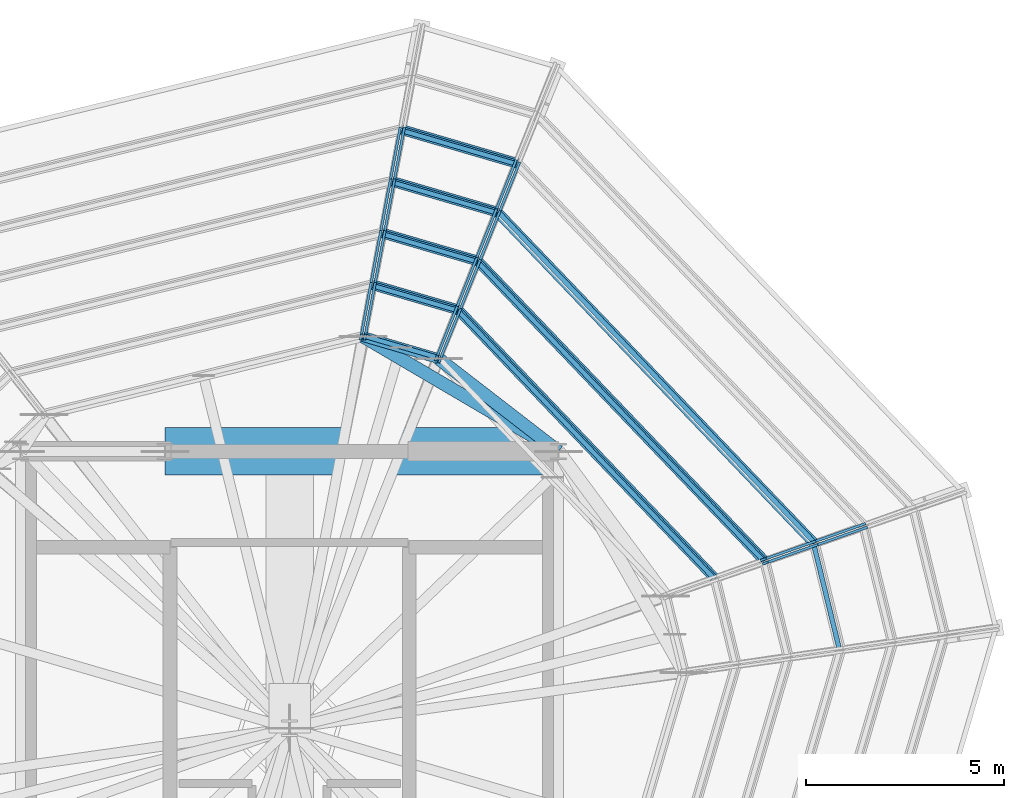
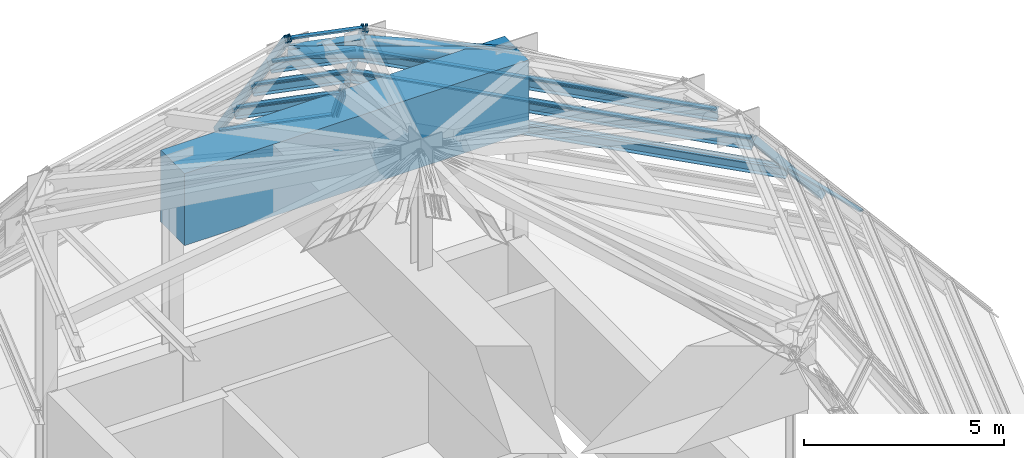
# One storey, part 8 of 13: 37 members, 9 beams, 15 elements without a shape of their own.
"""IFC4 building model written with IfcOpenShell, lengths in metres."""

from ifc_helpers import new_model, si_unit, direction, frame, origin, origin_2d, place, context, subcontext, project, spatial, rectangle, hollow_rectangle, hollow_circle, i_section, extrude, source, transform, mapped, material, layer, layer_set, material_profile, profile_set, type_object, element, aggregate, save


model = new_model("IFC4")

# Units and contexts
model_context = context("Model", 3, precision=1e-05, world=origin(), true_north=direction((0.0, 1.0)))
body_context = subcontext(model_context, "Body", "Model", "MODEL_VIEW")
ifc_project = project(units=[si_unit("LENGTHUNIT", "METRE"), si_unit("AREAUNIT", "SQUARE_METRE"), si_unit("VOLUMEUNIT", "CUBIC_METRE"), si_unit("PLANEANGLEUNIT", "RADIAN"), si_unit("MASSUNIT", "GRAM", prefix="KILO")], contexts=[model_context])

# Site, building, storey
site_placement = place(None, origin())
site = spatial("IfcSite", under=ifc_project, at=site_placement, CompositionType="ELEMENT")
building_placement = place(site_placement, origin())
building = spatial("IfcBuilding", under=site, at=building_placement, Name="Veraguas Prism Commons", CompositionType="ELEMENT")
storey_placement = place(building_placement, frame((0.0, 0.0, 268.89990234375)))
storey = spatial("IfcBuildingStorey", under=building, at=storey_placement, Name="RF", CompositionType="ELEMENT", Elevation=268.89990234375)

# Members
ifc_material_1 = material(Name="Steel ASTM A500 Grade C", Category="steel")
ifc_material_profile_1 = material_profile(ifc_material_1, hollow_circle(Radius=0.162109375, WallThickness=0.01611328125, at=origin_2d()), Name="CHS324X16")
ifc_profile_set_1 = profile_set([ifc_material_profile_1], Name="Steel ASTM A500 Grade C")
member_type_1 = type_object("IfcMemberType", Name="Crown Apex Collar Strut CHS 324x16", PredefinedType="STRUT", material=ifc_profile_set_1)
member_1_placement = place(storey_placement, frame((27.7646484375, 33.345703125, 9.067138671875), z_axis=(0.791264006395, -0.611474670108, 0.0), x_axis=(0.611474670108, 0.791264006395, 0.0)))
element("IfcMember", 1, at=member_1_placement, inside=storey, type_object=member_type_1, Name="Crown Apex Collar Strut 03", PredefinedType="STRUT", context=body_context, shape_type="SweptSolid", body=[
    extrude(hollow_circle(Radius=0.162109375, WallThickness=0.01611328125, at=origin_2d()), origin(), (0.0, 0.0, 1.0), 3.836181640625),
])
member_2_placement = place(storey_placement, frame((25.856689453125, 33.90283203125, 9.067138671875), z_axis=(0.86231714945, -0.506368575018, 0.0), x_axis=(0.506368575018, 0.86231714945, 0.0)))
element("IfcMember", 2, at=member_2_placement, inside=storey, type_object=member_type_1, Name="Crown Apex Collar Strut 04", PredefinedType="STRUT", context=body_context, shape_type="SweptSolid", body=[
    extrude(hollow_circle(Radius=0.162109375, WallThickness=0.01611328125, at=origin_2d()), origin(), (0.0, 0.0, 1.0), 5.732666015625),
])

# Beams
ifc_material_2 = material(Name="Steel ASTM A992 Grade 50", Category="steel")
ifc_material_profile_2 = material_profile(ifc_material_2, i_section(OverallWidth=0.25390625, OverallDepth=0.305908203125, WebThickness=0.0087890625, FlangeThickness=0.0146484375, at=origin_2d()), Name="W310X79")
ifc_profile_set_2 = profile_set([ifc_material_profile_2], Name="Steel ASTM A992 Grade 50")
beam_type_1 = type_object("IfcBeamType", Name="Crown Ring Spandrel W310x79", PredefinedType="SPANDREL", material=ifc_profile_set_2)
beam_1_placement = place(storey_placement, frame((37.2705078125, 28.668212890625, 4.59716796875), z_axis=(-0.691150459217, 0.72271089844, 0.0), x_axis=(-0.72271089844, -0.691150459217, 0.0)))
element("IfcBeam", 3, at=beam_1_placement, inside=storey, type_object=beam_type_1, Name="Crown Facet Ring Beam T3-V02", PredefinedType="SPANDREL", context=body_context, shape_type="SweptSolid", body=[
    extrude(i_section(OverallWidth=0.25390625, OverallDepth=0.305908203125, WebThickness=0.0087890625, FlangeThickness=0.0146484375, at=origin_2d()), origin(), (0.0, 0.0, 1.0), 11.595703125),
])
beam_2_placement = place(storey_placement, frame((36.01513671875, 28.2265625, 6.180419921875), z_axis=(-0.691140803875, 0.722720132015, 0.0), x_axis=(-0.722720132015, -0.691140803875, 0.0)))
element("IfcBeam", 4, at=beam_2_placement, inside=storey, type_object=beam_type_1, Name="Crown Facet Ring Beam T4-V02", PredefinedType="SPANDREL", context=body_context, shape_type="SweptSolid", body=[
    extrude(i_section(OverallWidth=0.25390625, OverallDepth=0.305908203125, WebThickness=0.0087890625, FlangeThickness=0.0146484375, at=origin_2d()), origin(), (0.0, 0.0, 1.0), 10.498779296875),
])
beam_3_placement = place(storey_placement, frame((34.759765625, 27.784912109375, 7.763916015625), z_axis=(-0.69112948824, 0.722730953042, 0.0), x_axis=(-0.722730953042, -0.69112948824, 0.0)))
element("IfcBeam", 5, at=beam_3_placement, inside=storey, type_object=beam_type_1, Name="Crown Facet Ring Beam T5-V02", PredefinedType="SPANDREL", context=body_context, shape_type="SweptSolid", body=[
    extrude(i_section(OverallWidth=0.25390625, OverallDepth=0.305908203125, WebThickness=0.0087890625, FlangeThickness=0.0146484375, at=origin_2d()), origin(), (0.0, 0.0, 1.0), 9.402099609375),
])
beam_4_placement = place(storey_placement, frame((29.75341796875, 38.282958984375, 3.013916015625), z_axis=(-0.95990001861, 0.280342565931, 0.0), x_axis=(-0.280342565931, -0.95990001861, 0.0)))
element("IfcBeam", 6, at=beam_4_placement, inside=storey, type_object=beam_type_1, Name="Crown Facet Ring Beam T2-V03", PredefinedType="SPANDREL", context=body_context, shape_type="SweptSolid", body=[
    extrude(i_section(OverallWidth=0.25390625, OverallDepth=0.305908203125, WebThickness=0.0087890625, FlangeThickness=0.0146484375, at=origin_2d()), origin(), (0.0, 0.0, 1.0), 3.03759765625),
])
beam_5_placement = place(storey_placement, frame((29.256103515625, 37.048583984375, 4.59716796875), z_axis=(-0.959883640209, 0.280398639903, 0.0), x_axis=(-0.280398639903, -0.959883640209, 0.0)))
element("IfcBeam", 7, at=beam_5_placement, inside=storey, type_object=beam_type_1, Name="Crown Facet Ring Beam T3-V03", PredefinedType="SPANDREL", context=body_context, shape_type="SweptSolid", body=[
    extrude(i_section(OverallWidth=0.25390625, OverallDepth=0.305908203125, WebThickness=0.0087890625, FlangeThickness=0.0146484375, at=origin_2d()), origin(), (0.0, 0.0, 1.0), 2.77490234375),
])
beam_6_placement = place(storey_placement, frame((28.759033203125, 35.814208984375, 6.180419921875), z_axis=(-0.95987911689, 0.280414124035, 0.0), x_axis=(-0.280414124035, -0.95987911689, 0.0)))
element("IfcBeam", 8, at=beam_6_placement, inside=storey, type_object=beam_type_1, Name="Crown Facet Ring Beam T4-V03", PredefinedType="SPANDREL", context=body_context, shape_type="SweptSolid", body=[
    extrude(i_section(OverallWidth=0.25390625, OverallDepth=0.305908203125, WebThickness=0.0087890625, FlangeThickness=0.0146484375, at=origin_2d()), origin(), (0.0, 0.0, 1.0), 2.5126953125),
])
beam_7_placement = place(storey_placement, frame((28.26171875, 34.580078125, 7.763916015625), z_axis=(-0.959914880708, 0.280291672719, 0.0), x_axis=(-0.280291672719, -0.959914880708, 0.0)))
element("IfcBeam", 9, at=beam_7_placement, inside=storey, type_object=beam_type_1, Name="Crown Facet Ring Beam T5-V03", PredefinedType="SPANDREL", context=body_context, shape_type="SweptSolid", body=[
    extrude(i_section(OverallWidth=0.25390625, OverallDepth=0.305908203125, WebThickness=0.0087890625, FlangeThickness=0.0146484375, at=origin_2d()), origin(), (0.0, 0.0, 1.0), 2.249755859375),
])
beam_8_placement = place(storey_placement, frame((27.7646484375, 33.345703125, 9.067138671875), z_axis=(-0.959913285449, 0.280297135943, 0.0), x_axis=(-0.280297135943, -0.959913285449, 0.0)))
element("IfcBeam", 10, at=beam_8_placement, inside=storey, type_object=beam_type_1, Name="Crown Facet Ring Beam T6-V03", PredefinedType="SPANDREL", context=body_context, shape_type="SweptSolid", body=[
    extrude(i_section(OverallWidth=0.25390625, OverallDepth=0.305908203125, WebThickness=0.0087890625, FlangeThickness=0.0146484375, at=origin_2d()), origin(), (0.0, 0.0, 1.0), 1.987548828125),
])
ifc_material_3 = material(Name="Concrete C50/60", Category="concrete")
ifc_material_profile_3 = material_profile(ifc_material_3, rectangle(XDim=1.199951171875, YDim=2.199951171875, at=origin_2d()), Name="RC1200X2200")
ifc_profile_set_3 = profile_set([ifc_material_profile_3], Name="Concrete C50/60")
beam_type_2 = type_object("IfcBeamType", Name="Podium Transfer Girder RC 1200x2200", PredefinedType="BEAM", material=ifc_profile_set_3)
beam_9_placement = place(storey_placement, frame((20.85009765625, 31.0, 8.1201171875), z_axis=(1.0, 0.0, 0.0), x_axis=(0.0, 1.0, 0.0)))
element("IfcBeam", 11, at=beam_9_placement, inside=storey, type_object=beam_type_2, Name="Crown Apex Transfer Beam North", PredefinedType="BEAM", context=body_context, shape_type="SweptSolid", body=[
    extrude(rectangle(XDim=1.199951171875, YDim=2.199951171875, at=origin_2d()), origin(), (0.0, 0.0, 1.0), 9.949951171875),
])

# Curtain wall, member
ifc_material_4 = material(Name="Anodised aluminium EN AW-6063 T6", Category="aluminium")
ifc_layer = layer(ifc_material_4, 0.199951171875, Name="Faceted Glass Point Crown Curtain Wall", Category="aluminium")
ifc_layer_set = layer_set([ifc_layer], Name="Anodised aluminium EN AW-6063 T6")
curtain_wall_type = type_object("IfcCurtainWallType", Name="Faceted Glass Point Crown Curtain Wall", PredefinedType="NOTDEFINED", material=ifc_layer_set)
curtain_wall_1_placement = place(storey_placement, origin())
curtain_wall_1 = element("IfcCurtainWall", 12, at=curtain_wall_1_placement, inside=storey, type_object=curtain_wall_type, Name="Crown Glass-Point Facet T3-F01", PredefinedType="NOTDEFINED")
ifc_material_profile_4 = material_profile(ifc_material_4, hollow_rectangle(XDim=0.06494140625, YDim=0.199951171875, WallThickness=0.00390625, at=origin_2d()), Name="AL65X200X4")
ifc_profile_set_4 = profile_set([ifc_material_profile_4], Name="Anodised aluminium EN AW-6063 T6")
member_type_2 = type_object("IfcMemberType", Name="Curtain Wall Mullion Heavy AL 65x200x4", PredefinedType="MULLION", material=ifc_profile_set_4)
shared_shape_1 = source(origin(), body_context, "Body", "SweptSolid", [
    extrude(hollow_rectangle(XDim=0.06494140625, YDim=0.199951171875, WallThickness=0.00390625, at=origin_2d()), origin(), (0.0, 0.0, 1.0), 2.068359375),
])
member_3_placement = place(storey_placement, frame((38.5380859375, 29.058837890625, 3.166748046875), z_axis=(-0.606969745042, -0.213537197352, 0.765499571489), x_axis=(0.331869934634, -0.943325154168, 0.0)))
member_3 = element("IfcMember", 13, at=member_3_placement, type_object=member_type_2, Name="CW-CRN Mullion 2", PredefinedType="MULLION", context=body_context, shape_type="MappedRepresentation", body=[
    mapped(shared_shape_1, transform((0.0, 0.0, 0.0), scale=1.0)),
])
aggregate(curtain_wall_1, [member_3])

curtain_wall_2_placement = place(storey_placement, origin())
curtain_wall_2 = element("IfcCurtainWall", 14, at=curtain_wall_2_placement, inside=storey, type_object=curtain_wall_type, Name="Crown Glass-Point Facet T3-F02", PredefinedType="NOTDEFINED")
member_4_placement = place(storey_placement, frame((38.489501953125, 29.147705078125, 3.166748046875), z_axis=(-0.606969745042, -0.213537197352, 0.765499571489), x_axis=(0.331869934634, -0.943325154168, 0.0)))
member_4 = element("IfcMember", 15, at=member_4_placement, type_object=member_type_2, Name="CW-CRN Mullion 1", PredefinedType="MULLION", context=body_context, shape_type="MappedRepresentation", body=[
    mapped(shared_shape_1, transform((0.0, 0.0, 0.0), scale=1.0)),
])

curtain_wall_3_placement = place(storey_placement, origin())
curtain_wall_3 = element("IfcCurtainWall", 16, at=curtain_wall_3_placement, inside=storey, type_object=curtain_wall_type, Name="Crown Glass-Point Facet T3-F03", PredefinedType="NOTDEFINED")
member_5_placement = place(storey_placement, frame((26.88818359375, 39.119873046875, 3.166748046875), z_axis=(-0.118627194476, -0.632442296518, 0.765470006144), x_axis=(0.982859724762, -0.184354987567, 0.0)))
member_5 = element("IfcMember", 17, at=member_5_placement, type_object=member_type_2, Name="CW-CRN Mullion 2", PredefinedType="MULLION", context=body_context, shape_type="MappedRepresentation", body=[
    mapped(shared_shape_1, transform((0.0, 0.0, 0.0), scale=1.0)),
])

curtain_wall_4_placement = place(storey_placement, origin())
curtain_wall_4 = element("IfcCurtainWall", 18, at=curtain_wall_4_placement, inside=storey, type_object=curtain_wall_type, Name="Crown Glass-Point Facet T4-F01", PredefinedType="NOTDEFINED")
member_6_placement = place(storey_placement, frame((37.28271484375, 28.6171875, 4.75), z_axis=(-0.606840339255, -0.213533198544, 0.765603275707), x_axis=(0.331927376585, -0.943304943628, 0.0)))
member_6 = element("IfcMember", 19, at=member_6_placement, type_object=member_type_2, Name="CW-CRN Mullion 2", PredefinedType="MULLION", context=body_context, shape_type="MappedRepresentation", body=[
    mapped(shared_shape_1, transform((0.0, 0.0, 0.0), scale=1.0)),
])

# Curtain wall, members
curtain_wall_5_placement = place(storey_placement, origin())
curtain_wall_5 = element("IfcCurtainWall", 20, at=curtain_wall_5_placement, inside=storey, type_object=curtain_wall_type, Name="Crown Glass-Point Facet T4-F02", PredefinedType="NOTDEFINED")
member_7_placement = place(storey_placement, frame((37.234130859375, 28.7060546875, 4.75), z_axis=(-0.606930193638, -0.213405248949, 0.765567723831), x_axis=(0.331706670109, -0.943382576162, 0.0)))
member_7 = element("IfcMember", 21, at=member_7_placement, type_object=member_type_2, Name="CW-CRN Mullion 1", PredefinedType="MULLION", context=body_context, shape_type="MappedRepresentation", body=[
    mapped(shared_shape_1, transform((0.0, 0.0, 0.0), scale=1.0)),
])
member_8_placement = place(storey_placement, frame((29.29248046875, 37.0107421875, 4.75), z_axis=(-0.240429183387, -0.596764826316, 0.765549181861), x_axis=(0.927550217009, -0.37369853482, 0.0)))
member_8 = element("IfcMember", 22, at=member_8_placement, type_object=member_type_2, Name="CW-CRN Mullion 2", PredefinedType="MULLION", context=body_context, shape_type="MappedRepresentation", body=[
    mapped(shared_shape_1, transform((0.0, 0.0, 0.0), scale=1.0)),
])

curtain_wall_6_placement = place(storey_placement, origin())
curtain_wall_6 = element("IfcCurtainWall", 23, at=curtain_wall_6_placement, inside=storey, type_object=curtain_wall_type, Name="Crown Glass-Point Facet T4-F03", PredefinedType="NOTDEFINED")
member_9_placement = place(storey_placement, frame((29.205810546875, 37.0634765625, 4.75), z_axis=(-0.240429183387, -0.596764826316, 0.765549181861), x_axis=(0.927550217009, -0.37369853482, 0.0)))
member_9 = element("IfcMember", 24, at=member_9_placement, type_object=member_type_2, Name="CW-CRN Mullion 1", PredefinedType="MULLION", context=body_context, shape_type="MappedRepresentation", body=[
    mapped(shared_shape_1, transform((0.0, 0.0, 0.0), scale=1.0)),
])
member_10_placement = place(storey_placement, frame((26.642822265625, 37.811767578125, 4.75), z_axis=(-0.118508953549, -0.632323171476, 0.765586725815), x_axis=(0.982886723569, -0.184210989446, 0.0)))
member_10 = element("IfcMember", 25, at=member_10_placement, type_object=member_type_2, Name="CW-CRN Mullion 2", PredefinedType="MULLION", context=body_context, shape_type="MappedRepresentation", body=[
    mapped(shared_shape_1, transform((0.0, 0.0, 0.0), scale=1.0)),
])

# Curtain wall, member
curtain_wall_7_placement = place(storey_placement, origin())
curtain_wall_7 = element("IfcCurtainWall", 26, at=curtain_wall_7_placement, inside=storey, type_object=curtain_wall_type, Name="Crown Glass-Point Facet T4-F04", PredefinedType="NOTDEFINED")
member_11_placement = place(storey_placement, frame((26.54150390625, 37.814208984375, 4.75), z_axis=(-0.11862533016, -0.632314322055, 0.765576011359), x_axis=(0.982853488619, -0.184388231484, 0.0)))
member_11 = element("IfcMember", 27, at=member_11_placement, type_object=member_type_2, Name="CW-CRN Mullion 1", PredefinedType="MULLION", context=body_context, shape_type="MappedRepresentation", body=[
    mapped(shared_shape_1, transform((0.0, 0.0, 0.0), scale=1.0)),
])
aggregate(curtain_wall_7, [member_11])

curtain_wall_8_placement = place(storey_placement, origin())
curtain_wall_8 = element("IfcCurtainWall", 28, at=curtain_wall_8_placement, inside=storey, type_object=curtain_wall_type, Name="Crown Glass-Point Facet T5-F04", PredefinedType="NOTDEFINED")
member_12_placement = place(storey_placement, frame((26.296142578125, 36.50634765625, 6.33349609375), z_axis=(-0.118510816088, -0.632451148008, 0.765480719453), x_axis=(0.982892947939, -0.184177775239, 0.0)))
member_12 = element("IfcMember", 29, at=member_12_placement, type_object=member_type_2, Name="CW-CRN Mullion 1", PredefinedType="MULLION", context=body_context, shape_type="MappedRepresentation", body=[
    mapped(shared_shape_1, transform((0.0, 0.0, 0.0), scale=1.0)),
])
aggregate(curtain_wall_8, [member_12])

curtain_wall_9_placement = place(storey_placement, origin())
curtain_wall_9 = element("IfcCurtainWall", 30, at=curtain_wall_9_placement, inside=storey, type_object=curtain_wall_type, Name="Crown Glass-Point Facet T6-F02", PredefinedType="NOTDEFINED")
member_13_placement = place(storey_placement, frame((28.298095703125, 34.5419921875, 7.916748046875), z_axis=(-0.240450909489, -0.596818752272, 0.765500318133), x_axis=(0.927550217009, -0.37369853482, 0.0)))
member_13 = element("IfcMember", 31, at=member_13_placement, type_object=member_type_2, Name="CW-CRN Mullion 2", PredefinedType="MULLION", context=body_context, shape_type="MappedRepresentation", body=[
    mapped(shared_shape_1, transform((0.0, 0.0, 0.0), scale=1.0)),
])

curtain_wall_10_placement = place(storey_placement, origin())
curtain_wall_10 = element("IfcCurtainWall", 32, at=curtain_wall_10_placement, inside=storey, type_object=curtain_wall_type, Name="Crown Glass-Point Facet T6-F03", PredefinedType="NOTDEFINED")
member_14_placement = place(storey_placement, frame((28.21142578125, 34.5947265625, 7.916748046875), z_axis=(-0.240450909489, -0.596818752272, 0.765500318133), x_axis=(0.927550217009, -0.37369853482, 0.0)))
member_14 = element("IfcMember", 33, at=member_14_placement, type_object=member_type_2, Name="CW-CRN Mullion 1", PredefinedType="MULLION", context=body_context, shape_type="MappedRepresentation", body=[
    mapped(shared_shape_1, transform((0.0, 0.0, 0.0), scale=1.0)),
])

# Member
shared_shape_2 = source(origin(), body_context, "Body", "SweptSolid", [
    extrude(hollow_rectangle(XDim=0.06494140625, YDim=0.199951171875, WallThickness=0.00390625, at=origin_2d()), origin(), (0.0, 0.0, 1.0), 2.068115234375),
])
member_15_placement = place(storey_placement, frame((29.78955078125, 38.2451171875, 3.166748046875), z_axis=(-0.240339687845, -0.596835688479, 0.765522041097), x_axis=(0.927613797991, -0.373540682894, 0.0)))
member_15 = element("IfcMember", 34, at=member_15_placement, type_object=member_type_2, Name="CW-CRN Mullion 2", PredefinedType="MULLION", context=body_context, shape_type="MappedRepresentation", body=[
    mapped(shared_shape_2, transform((0.0, 0.0, 0.0), scale=1.0)),
])

member_16_placement = place(storey_placement, frame((29.703125, 38.297607421875, 3.166748046875), z_axis=(-0.240467849248, -0.596742748134, 0.765554247606), x_axis=(0.927524590821, -0.373762134817, 0.0)))
member_16 = element("IfcMember", 35, at=member_16_placement, type_object=member_type_2, Name="CW-CRN Mullion 1", PredefinedType="MULLION", context=body_context, shape_type="MappedRepresentation", body=[
    mapped(shared_shape_2, transform((0.0, 0.0, 0.0), scale=1.0)),
])

# Curtain wall, member
curtain_wall_11_placement = place(storey_placement, origin())
curtain_wall_11 = element("IfcCurtainWall", 36, at=curtain_wall_11_placement, inside=storey, type_object=curtain_wall_type, Name="Crown Glass-Point Facet T3-F04", PredefinedType="NOTDEFINED")
member_17_placement = place(storey_placement, frame((26.78662109375, 39.1220703125, 3.166748046875), z_axis=(-0.118519663522, -0.632380316225, 0.765537866477), x_axis=(0.982886723569, -0.184210989446, 0.0)))
member_17 = element("IfcMember", 37, at=member_17_placement, type_object=member_type_2, Name="CW-CRN Mullion 1", PredefinedType="MULLION", context=body_context, shape_type="MappedRepresentation", body=[
    mapped(shared_shape_2, transform((0.0, 0.0, 0.0), scale=1.0)),
])
aggregate(curtain_wall_11, [member_17])

curtain_wall_12_placement = place(storey_placement, origin())
curtain_wall_12 = element("IfcCurtainWall", 38, at=curtain_wall_12_placement, inside=storey, type_object=curtain_wall_type, Name="Crown Glass-Point Facet T5-F02", PredefinedType="NOTDEFINED")
member_18_placement = place(storey_placement, frame((28.795166015625, 35.7763671875, 6.33349609375), z_axis=(-0.240339687845, -0.596835688479, 0.765522041097), x_axis=(0.927613797991, -0.373540682894, 0.0)))
member_18 = element("IfcMember", 39, at=member_18_placement, type_object=member_type_2, Name="CW-CRN Mullion 2", PredefinedType="MULLION", context=body_context, shape_type="MappedRepresentation", body=[
    mapped(shared_shape_2, transform((0.0, 0.0, 0.0), scale=1.0)),
])

# Curtain wall, members
curtain_wall_13_placement = place(storey_placement, origin())
curtain_wall_13 = element("IfcCurtainWall", 40, at=curtain_wall_13_placement, inside=storey, type_object=curtain_wall_type, Name="Crown Glass-Point Facet T5-F03", PredefinedType="NOTDEFINED")
member_19_placement = place(storey_placement, frame((28.70849609375, 35.8291015625, 6.33349609375), z_axis=(-0.240339687845, -0.596835688479, 0.765522041097), x_axis=(0.927613797991, -0.373540682894, 0.0)))
member_19 = element("IfcMember", 41, at=member_19_placement, type_object=member_type_2, Name="CW-CRN Mullion 1", PredefinedType="MULLION", context=body_context, shape_type="MappedRepresentation", body=[
    mapped(shared_shape_2, transform((0.0, 0.0, 0.0), scale=1.0)),
])
member_20_placement = place(storey_placement, frame((26.397705078125, 36.50390625, 6.33349609375), z_axis=(-0.11863605035, -0.632371464405, 0.765527150768), x_axis=(0.982853488619, -0.184388231484, 0.0)))
member_20 = element("IfcMember", 42, at=member_20_placement, type_object=member_type_2, Name="CW-CRN Mullion 2", PredefinedType="MULLION", context=body_context, shape_type="MappedRepresentation", body=[
    mapped(shared_shape_2, transform((0.0, 0.0, 0.0), scale=1.0)),
])

# Member
member_21_placement = place(storey_placement, frame((26.15234375, 35.196044921875, 7.916748046875), z_axis=(-0.118519663522, -0.632380316225, 0.765537866477), x_axis=(0.982886723569, -0.184210989446, 0.0)))
member_21 = element("IfcMember", 43, at=member_21_placement, type_object=member_type_2, Name="CW-CRN Mullion 2", PredefinedType="MULLION", context=body_context, shape_type="MappedRepresentation", body=[
    mapped(shared_shape_2, transform((0.0, 0.0, 0.0), scale=1.0)),
])

# Curtain wall, member
curtain_wall_14_placement = place(storey_placement, origin())
curtain_wall_14 = element("IfcCurtainWall", 44, at=curtain_wall_14_placement, inside=storey, type_object=curtain_wall_type, Name="Crown Glass-Point Facet T6-F04", PredefinedType="NOTDEFINED")
member_22_placement = place(storey_placement, frame((26.051025390625, 35.1982421875, 7.916748046875), z_axis=(-0.118519663522, -0.632380316225, 0.765537866477), x_axis=(0.982886723569, -0.184210989446, 0.0)))
member_22 = element("IfcMember", 45, at=member_22_placement, type_object=member_type_2, Name="CW-CRN Mullion 1", PredefinedType="MULLION", context=body_context, shape_type="MappedRepresentation", body=[
    mapped(shared_shape_2, transform((0.0, 0.0, 0.0), scale=1.0)),
])
aggregate(curtain_wall_14, [member_22])

curtain_wall_15_placement = place(storey_placement, origin())
curtain_wall_15 = element("IfcCurtainWall", 46, at=curtain_wall_15_placement, inside=storey, type_object=curtain_wall_type, Name="Crown Glass-Point Facet T2-F03", PredefinedType="NOTDEFINED")
ifc_material_profile_5 = material_profile(ifc_material_4, hollow_rectangle(XDim=0.050048828125, YDim=0.1201171875, WallThickness=0.0029296875, at=origin_2d()), Name="AL50X120X3")
ifc_profile_set_5 = profile_set([ifc_material_profile_5], Name="Anodised aluminium EN AW-6063 T6")
member_type_3 = type_object("IfcMemberType", Name="Curtain Wall Transom Crown AL 50x120x3", PredefinedType="USERDEFINED", material=ifc_profile_set_5)
shared_shape_3 = source(origin(), body_context, "Body", "SweptSolid", [
    extrude(hollow_rectangle(XDim=0.050048828125, YDim=0.1201171875, WallThickness=0.0029296875, at=origin_2d()), origin(), (0.0, 0.0, 1.0), 2.9365234375),
])
member_23_placement = place(storey_placement, frame((29.7109375, 38.317138671875, 3.141845703125), z_axis=(-0.959901239962, 0.280338383956, 0.0), x_axis=(0.0, 0.0, 1.0)))
member_23 = element("IfcMember", 47, at=member_23_placement, type_object=member_type_3, Name="CW-CRN Transom 2", ObjectType="TRANSOM", PredefinedType="USERDEFINED", context=body_context, shape_type="MappedRepresentation", body=[
    mapped(shared_shape_3, transform((0.0, 0.0, 0.0), scale=1.0)),
])
aggregate(curtain_wall_15, [member_23])

# Member
shared_shape_4 = source(origin(), body_context, "Body", "SweptSolid", [
    extrude(hollow_rectangle(XDim=0.050048828125, YDim=0.1201171875, WallThickness=0.0029296875, at=origin_2d()), origin(), (0.0, 0.0, 1.0), 2.92822265625),
])
member_24_placement = place(storey_placement, frame((29.695068359375, 38.2783203125, 3.19189453125), z_axis=(-0.959909369941, 0.280310544753, 0.0), x_axis=(0.0, 0.0, 1.0)))
member_24 = element("IfcMember", 48, at=member_24_placement, type_object=member_type_3, Name="CW-CRN Transom 1", ObjectType="TRANSOM", PredefinedType="USERDEFINED", context=body_context, shape_type="MappedRepresentation", body=[
    mapped(shared_shape_4, transform((0.0, 0.0, 0.0), scale=1.0)),
])

shared_shape_5 = source(origin(), body_context, "Body", "SweptSolid", [
    extrude(hollow_rectangle(XDim=0.050048828125, YDim=0.1201171875, WallThickness=0.0029296875, at=origin_2d()), origin(), (0.0, 0.0, 1.0), 11.508056640625),
])
member_25_placement = place(storey_placement, frame((37.25390625, 28.713134765625, 4.72509765625), z_axis=(-0.691135938825, 0.722724784454, 0.0), x_axis=(0.0, 0.0, 1.0)))
member_25 = element("IfcMember", 49, at=member_25_placement, type_object=member_type_3, Name="CW-CRN Transom 2", ObjectType="TRANSOM", PredefinedType="USERDEFINED", context=body_context, shape_type="MappedRepresentation", body=[
    mapped(shared_shape_5, transform((0.0, 0.0, 0.0), scale=1.0)),
])

aggregate(curtain_wall_2, [member_4, member_15, member_25])

shared_shape_6 = source(origin(), body_context, "Body", "SweptSolid", [
    extrude(hollow_rectangle(XDim=0.050048828125, YDim=0.1201171875, WallThickness=0.0029296875, at=origin_2d()), origin(), (0.0, 0.0, 1.0), 2.674072265625),
])
member_26_placement = place(storey_placement, frame((29.213623046875, 37.0830078125, 4.72509765625), z_axis=(-0.959916108092, 0.280287469264, 0.0), x_axis=(0.0, 0.0, 1.0)))
member_26 = element("IfcMember", 50, at=member_26_placement, type_object=member_type_3, Name="CW-CRN Transom 2", ObjectType="TRANSOM", PredefinedType="USERDEFINED", context=body_context, shape_type="MappedRepresentation", body=[
    mapped(shared_shape_6, transform((0.0, 0.0, 0.0), scale=1.0)),
])

aggregate(curtain_wall_3, [member_16, member_5, member_24, member_26])

shared_shape_7 = source(origin(), body_context, "Body", "SweptSolid", [
    extrude(hollow_rectangle(XDim=0.050048828125, YDim=0.1201171875, WallThickness=0.0029296875, at=origin_2d()), origin(), (0.0, 0.0, 1.0), 2.666015625),
])
member_27_placement = place(storey_placement, frame((37.8955078125, 26.020263671875, 4.775146484375), z_axis=(-0.237274499647, 0.971442644636, 0.0), x_axis=(0.0, 0.0, 1.0)))
member_27 = element("IfcMember", 51, at=member_27_placement, type_object=member_type_3, Name="CW-CRN Transom 1", ObjectType="TRANSOM", PredefinedType="USERDEFINED", context=body_context, shape_type="MappedRepresentation", body=[
    mapped(shared_shape_7, transform((0.0, 0.0, 0.0), scale=1.0)),
])

aggregate(curtain_wall_4, [member_6, member_27])

member_28_placement = place(storey_placement, frame((29.197998046875, 37.0439453125, 4.775146484375), z_axis=(-0.959907638453, 0.28031647408, 0.0), x_axis=(0.0, 0.0, 1.0)))
member_28 = element("IfcMember", 52, at=member_28_placement, type_object=member_type_3, Name="CW-CRN Transom 1", ObjectType="TRANSOM", PredefinedType="USERDEFINED", context=body_context, shape_type="MappedRepresentation", body=[
    mapped(shared_shape_7, transform((0.0, 0.0, 0.0), scale=1.0)),
])

shared_shape_8 = source(origin(), body_context, "Body", "SweptSolid", [
    extrude(hollow_rectangle(XDim=0.050048828125, YDim=0.1201171875, WallThickness=0.0029296875, at=origin_2d()), origin(), (0.0, 0.0, 1.0), 2.411865234375),
])
member_29_placement = place(storey_placement, frame((28.716552734375, 35.848388671875, 6.308349609375), z_axis=(-0.959887687987, 0.280384782845, 0.0), x_axis=(0.0, 0.0, 1.0)))
member_29 = element("IfcMember", 53, at=member_29_placement, type_object=member_type_3, Name="CW-CRN Transom 2", ObjectType="TRANSOM", PredefinedType="USERDEFINED", context=body_context, shape_type="MappedRepresentation", body=[
    mapped(shared_shape_8, transform((0.0, 0.0, 0.0), scale=1.0)),
])

aggregate(curtain_wall_6, [member_9, member_10, member_28, member_29])

shared_shape_9 = source(origin(), body_context, "Body", "SweptSolid", [
    extrude(hollow_rectangle(XDim=0.050048828125, YDim=0.1201171875, WallThickness=0.0029296875, at=origin_2d()), origin(), (0.0, 0.0, 1.0), 10.4111328125),
])
member_30_placement = place(storey_placement, frame((35.998779296875, 28.271484375, 6.308349609375), z_axis=(-0.691136920738, 0.722723845457, 0.0), x_axis=(0.0, 0.0, 1.0)))
member_30 = element("IfcMember", 54, at=member_30_placement, type_object=member_type_3, Name="CW-CRN Transom 2", ObjectType="TRANSOM", PredefinedType="USERDEFINED", context=body_context, shape_type="MappedRepresentation", body=[
    mapped(shared_shape_9, transform((0.0, 0.0, 0.0), scale=1.0)),
])

aggregate(curtain_wall_5, [member_7, member_8, member_30])

shared_shape_10 = source(origin(), body_context, "Body", "SweptSolid", [
    extrude(hollow_rectangle(XDim=0.050048828125, YDim=0.1201171875, WallThickness=0.0029296875, at=origin_2d()), origin(), (0.0, 0.0, 1.0), 2.149169921875),
])
member_31_placement = place(storey_placement, frame((28.21923828125, 34.6142578125, 7.891845703125), z_axis=(-0.959926171624, 0.280253001822, 0.0), x_axis=(0.0, 0.0, 1.0)))
member_31 = element("IfcMember", 55, at=member_31_placement, type_object=member_type_3, Name="CW-CRN Transom 2", ObjectType="TRANSOM", PredefinedType="USERDEFINED", context=body_context, shape_type="MappedRepresentation", body=[
    mapped(shared_shape_10, transform((0.0, 0.0, 0.0), scale=1.0)),
])

shared_shape_11 = source(origin(), body_context, "Body", "SweptSolid", [
    extrude(hollow_rectangle(XDim=0.050048828125, YDim=0.1201171875, WallThickness=0.0029296875, at=origin_2d()), origin(), (0.0, 0.0, 1.0), 10.37646484375),
])
member_32_placement = place(storey_placement, frame((35.958984375, 28.257568359375, 6.3583984375), z_axis=(-0.691143045136, 0.722717988679, 0.0), x_axis=(0.0, 0.0, 1.0)))
member_32 = element("IfcMember", 56, at=member_32_placement, type_object=member_type_3, Name="CW-CRN Transom 1", ObjectType="TRANSOM", PredefinedType="USERDEFINED", context=body_context, shape_type="MappedRepresentation", body=[
    mapped(shared_shape_11, transform((0.0, 0.0, 0.0), scale=1.0)),
])

shared_shape_12 = source(origin(), body_context, "Body", "SweptSolid", [
    extrude(hollow_rectangle(XDim=0.050048828125, YDim=0.1201171875, WallThickness=0.0029296875, at=origin_2d()), origin(), (0.0, 0.0, 1.0), 9.314208984375),
])
member_33_placement = place(storey_placement, frame((34.743408203125, 27.830078125, 7.891845703125), z_axis=(-0.691151226591, 0.722710164577, 0.0), x_axis=(0.0, 0.0, 1.0)))
member_33 = element("IfcMember", 57, at=member_33_placement, type_object=member_type_3, Name="CW-CRN Transom 2", ObjectType="TRANSOM", PredefinedType="USERDEFINED", context=body_context, shape_type="MappedRepresentation", body=[
    mapped(shared_shape_12, transform((0.0, 0.0, 0.0), scale=1.0)),
])

aggregate(curtain_wall_12, [member_18, member_32, member_33])

shared_shape_13 = source(origin(), body_context, "Body", "SweptSolid", [
    extrude(hollow_rectangle(XDim=0.050048828125, YDim=0.1201171875, WallThickness=0.0029296875, at=origin_2d()), origin(), (0.0, 0.0, 1.0), 2.4033203125),
])
member_34_placement = place(storey_placement, frame((28.70068359375, 35.8095703125, 6.3583984375), z_axis=(-0.959889562001, 0.280378367142, 0.0), x_axis=(0.0, 0.0, 1.0)))
member_34 = element("IfcMember", 58, at=member_34_placement, type_object=member_type_3, Name="CW-CRN Transom 1", ObjectType="TRANSOM", PredefinedType="USERDEFINED", context=body_context, shape_type="MappedRepresentation", body=[
    mapped(shared_shape_13, transform((0.0, 0.0, 0.0), scale=1.0)),
])

aggregate(curtain_wall_13, [member_19, member_20, member_34, member_31])

shared_shape_14 = source(origin(), body_context, "Body", "SweptSolid", [
    extrude(hollow_rectangle(XDim=0.050048828125, YDim=0.1201171875, WallThickness=0.0029296875, at=origin_2d()), origin(), (0.0, 0.0, 1.0), 1.88671875),
])
member_35_placement = place(storey_placement, frame((27.72216796875, 33.3798828125, 9.47509765625), z_axis=(-0.95991589616, 0.280288195077, 0.0), x_axis=(0.0, 0.0, 1.0)))
member_35 = element("IfcMember", 59, at=member_35_placement, type_object=member_type_3, Name="CW-CRN Transom 2", ObjectType="TRANSOM", PredefinedType="USERDEFINED", context=body_context, shape_type="MappedRepresentation", body=[
    mapped(shared_shape_14, transform((0.0, 0.0, 0.0), scale=1.0)),
])

shared_shape_15 = source(origin(), body_context, "Body", "SweptSolid", [
    extrude(hollow_rectangle(XDim=0.050048828125, YDim=0.1201171875, WallThickness=0.0029296875, at=origin_2d()), origin(), (0.0, 0.0, 1.0), 9.279541015625),
])
member_36_placement = place(storey_placement, frame((34.70361328125, 27.81591796875, 7.94189453125), z_axis=(-0.691131244519, 0.722729273552, 0.0), x_axis=(0.0, 0.0, 1.0)))
member_36 = element("IfcMember", 60, at=member_36_placement, type_object=member_type_3, Name="CW-CRN Transom 1", ObjectType="TRANSOM", PredefinedType="USERDEFINED", context=body_context, shape_type="MappedRepresentation", body=[
    mapped(shared_shape_15, transform((0.0, 0.0, 0.0), scale=1.0)),
])

aggregate(curtain_wall_9, [member_13, member_36])

shared_shape_16 = source(origin(), body_context, "Body", "SweptSolid", [
    extrude(hollow_rectangle(XDim=0.050048828125, YDim=0.1201171875, WallThickness=0.0029296875, at=origin_2d()), origin(), (0.0, 0.0, 1.0), 2.14111328125),
])
member_37_placement = place(storey_placement, frame((28.20361328125, 34.5751953125, 7.94189453125), z_axis=(-0.959915664546, 0.280288988294, 0.0), x_axis=(0.0, 0.0, 1.0)))
member_37 = element("IfcMember", 61, at=member_37_placement, type_object=member_type_3, Name="CW-CRN Transom 1", ObjectType="TRANSOM", PredefinedType="USERDEFINED", context=body_context, shape_type="MappedRepresentation", body=[
    mapped(shared_shape_16, transform((0.0, 0.0, 0.0), scale=1.0)),
])

aggregate(curtain_wall_10, [member_14, member_21, member_37, member_35])

save(model, "model.ifc")
